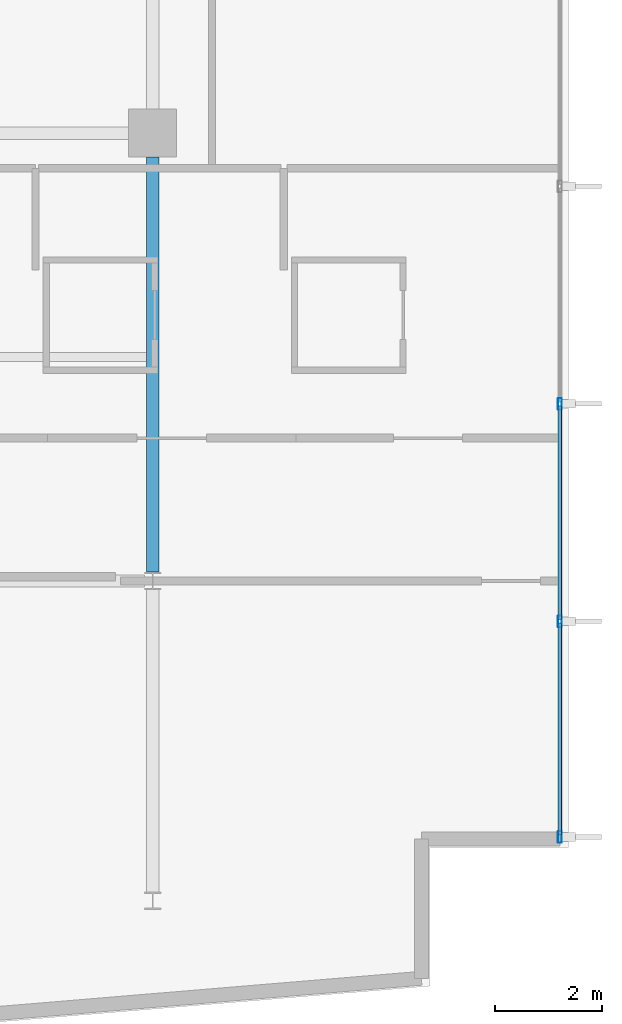
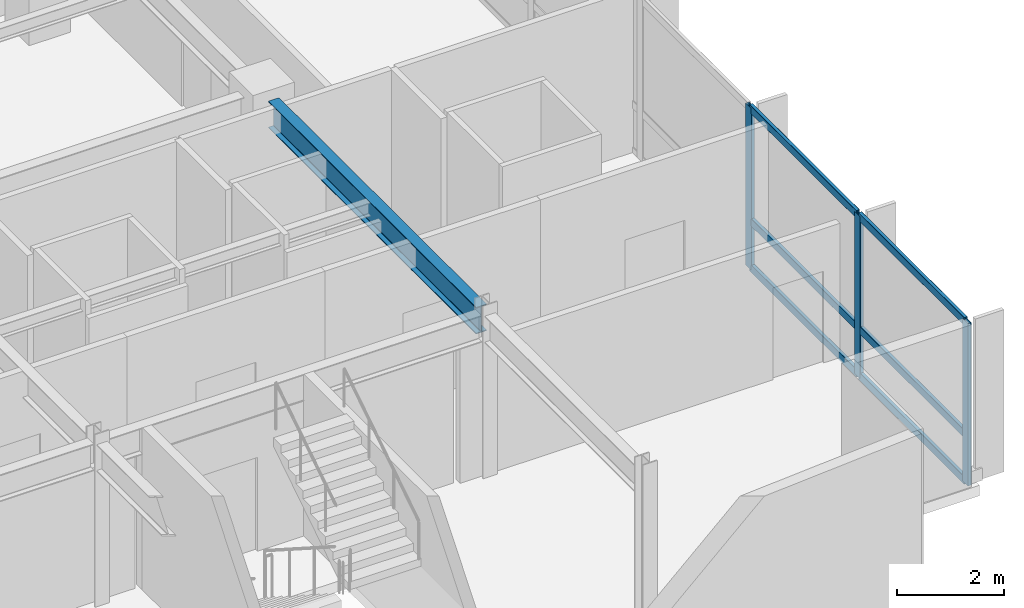
# One storey, part 5 of 19: 9 members, 1 beam, 1 element without a shape of its own.
"""IFC4 building model written with IfcOpenShell, lengths in metres."""

from ifc_helpers import new_model, si_unit, direction, frame, origin, origin_2d, place, context, subcontext, project, spatial, hollow_rectangle, i_section, extrude, material, layer, layer_set, material_profile, profile_set, type_object, element, aggregate, save


model = new_model("IFC4")

# Units and contexts
model_context = context("Model", 3, precision=1e-05, world=origin(), true_north=direction((0.0, 1.0)))
body_context = subcontext(model_context, "Body", "Model", "MODEL_VIEW")
ifc_project = project(units=[si_unit("LENGTHUNIT", "METRE"), si_unit("AREAUNIT", "SQUARE_METRE"), si_unit("VOLUMEUNIT", "CUBIC_METRE"), si_unit("PLANEANGLEUNIT", "RADIAN"), si_unit("MASSUNIT", "GRAM", prefix="KILO")], contexts=[model_context])

# Site, building, storey
site_placement = place(None, origin())
site = spatial("IfcSite", under=ifc_project, at=site_placement, CompositionType="ELEMENT")
building_placement = place(site_placement, origin())
building = spatial("IfcBuilding", under=site, at=building_placement, Name="Varnakote Quay Hospital", CompositionType="ELEMENT")
storey_placement = place(building_placement, frame((0.0, 0.0, 85.699951171875)))
storey = spatial("IfcBuildingStorey", under=building, at=storey_placement, Name="L21", CompositionType="ELEMENT", Elevation=85.699951171875)

# Beam
ifc_material_1 = material(Name="Structural steel AS/NZS 3679.1 Grade 350 L0 (fy 340 MPa)", Category="steel")
ifc_material_profile_1 = material_profile(ifc_material_1, i_section(OverallWidth=0.22900390625, OverallDepth=0.612060546875, WebThickness=0.011962890625, FlangeThickness=0.01953125, FilletRadius=0.013916015625, at=origin_2d()), Name="610UB125")
ifc_profile_set_1 = profile_set([ifc_material_profile_1], Name="Structural steel AS/NZS 3679.1 Grade 350 L0 (fy 340 MPa)")
beam_type = type_object("IfcBeamType", Name="BM-STL-610UB125", PredefinedType="BEAM", material=ifc_profile_set_1)
beam_placement = place(storey_placement, frame((50.39990234375, 12.16357421875, 3.404052734375), z_axis=(0.0, 1.0, 0.0), x_axis=(-1.0, 0.0, 0.0)))
element("IfcBeam", 1, at=beam_placement, inside=storey, type_object=beam_type, Name="L21 Primary Tie Beam", PredefinedType="BEAM", context=body_context, shape_type="SweptSolid", body=[
    extrude(i_section(OverallWidth=0.22900390625, OverallDepth=0.612060546875, WebThickness=0.011962890625, FlangeThickness=0.01953125, FilletRadius=0.013916015625, at=origin_2d()), origin(), (0.0, 0.0, 1.0), 7.786376953125),
])

# Curtain wall, members
ifc_material_2 = material(Name="Anodised aluminium 6063-T6 Bronze", Category="aluminium")
ifc_layer = layer(ifc_material_2, 0.18994140625)
ifc_layer_set = layer_set([ifc_layer], Name="Anodised aluminium 6063-T6 Bronze")
curtain_wall_type = type_object("IfcCurtainWallType", Name="CW-SYS-2", PredefinedType="NOTDEFINED", material=ifc_layer_set)
curtain_wall_placement = place(storey_placement, origin())
curtain_wall = element("IfcCurtainWall", 2, at=curtain_wall_placement, inside=storey, type_object=curtain_wall_type, Name="L21 Unitised Bronze Curtain Wall 1", PredefinedType="NOTDEFINED")
ifc_material_3 = material(Name="Anodised aluminium 6063-T6 Bronze", Category="aluminium")
ifc_material_profile_2 = material_profile(ifc_material_3, hollow_rectangle(XDim=0.074951171875, YDim=0.219970703125, WallThickness=0.00439453125, InnerFilletRadius=0.00439453125, OuterFilletRadius=0.009033203125, at=origin_2d()), Name="CW-MULL-220x75")
ifc_profile_set_2 = profile_set([ifc_material_profile_2], Name="Anodised aluminium 6063-T6 Bronze")
member_type_1 = type_object("IfcMemberType", Name="CW-MULL-220x75", PredefinedType="MULLION", material=ifc_profile_set_2)
member_1_placement = place(storey_placement, frame((58.0400390625, 7.197509765625, 0.0), z_axis=(0.0, 0.0, 1.0), x_axis=(-1.0, 0.0, 0.0)))
member_1 = element("IfcMember", 3, at=member_1_placement, type_object=member_type_1, Name="-2-L21-1 mullion 1", PredefinedType="MULLION", context=body_context, shape_type="SweptSolid", body=[
    extrude(hollow_rectangle(XDim=0.074951171875, YDim=0.219970703125, WallThickness=0.00439453125, InnerFilletRadius=0.00439453125, OuterFilletRadius=0.009033203125, at=origin_2d()), origin(), (0.0, 0.0, 1.0), 3.7099609375),
])
member_2_placement = place(storey_placement, frame((58.0400390625, 11.239990234375, 0.0), z_axis=(0.0, 0.0, 1.0), x_axis=(-1.0, 0.0, 0.0)))
member_2 = element("IfcMember", 4, at=member_2_placement, type_object=member_type_1, Name="-2-L21-1 mullion 2", PredefinedType="MULLION", context=body_context, shape_type="SweptSolid", body=[
    extrude(hollow_rectangle(XDim=0.074951171875, YDim=0.219970703125, WallThickness=0.00439453125, InnerFilletRadius=0.00439453125, OuterFilletRadius=0.009033203125, at=origin_2d()), origin(), (0.0, 0.0, 1.0), 3.7099609375),
])
member_3_placement = place(storey_placement, frame((58.0400390625, 15.320068359375, 0.0), z_axis=(0.0, 0.0, 1.0), x_axis=(-1.0, 0.0, 0.0)))
member_3 = element("IfcMember", 5, at=member_3_placement, type_object=member_type_1, Name="-2-L21-1 mullion 3", PredefinedType="MULLION", context=body_context, shape_type="SweptSolid", body=[
    extrude(hollow_rectangle(XDim=0.074951171875, YDim=0.219970703125, WallThickness=0.00439453125, InnerFilletRadius=0.00439453125, OuterFilletRadius=0.009033203125, at=origin_2d()), origin(), (0.0, 0.0, 1.0), 3.7099609375),
])
ifc_material_4 = material(Name="Anodised aluminium 6063-T6 Bronze", Category="aluminium")
ifc_material_profile_3 = material_profile(ifc_material_4, hollow_rectangle(XDim=0.074951171875, YDim=0.179931640625, WallThickness=0.004150390625, InnerFilletRadius=0.004150390625, OuterFilletRadius=0.00830078125, at=origin_2d()), Name="CW-TRAN-180x75")
ifc_profile_set_3 = profile_set([ifc_material_profile_3], Name="Anodised aluminium 6063-T6 Bronze")
member_type_2 = type_object("IfcMemberType", Name="CW-TRAN-180x75", PredefinedType="USERDEFINED", material=ifc_profile_set_3)
member_4_placement = place(storey_placement, frame((58.0400390625, 7.235107421875, 0.03759765625), z_axis=(0.0, 1.0, 0.0), x_axis=(-1.0, 0.0, 0.0)))
member_4 = element("IfcMember", 6, at=member_4_placement, type_object=member_type_2, Name="-2-L21-1 transom 1.1", ObjectType="TRANSOM", PredefinedType="USERDEFINED", context=body_context, shape_type="SweptSolid", body=[
    extrude(hollow_rectangle(XDim=0.074951171875, YDim=0.179931640625, WallThickness=0.004150390625, InnerFilletRadius=0.004150390625, OuterFilletRadius=0.00830078125, at=origin_2d()), origin(), (0.0, 0.0, 1.0), 3.96728515625),
])
member_5_placement = place(storey_placement, frame((58.0400390625, 7.235107421875, 1.10009765625), z_axis=(0.0, 1.0, 0.0), x_axis=(-1.0, 0.0, 0.0)))
member_5 = element("IfcMember", 7, at=member_5_placement, type_object=member_type_2, Name="-2-L21-1 transom 1.2", ObjectType="TRANSOM", PredefinedType="USERDEFINED", context=body_context, shape_type="SweptSolid", body=[
    extrude(hollow_rectangle(XDim=0.074951171875, YDim=0.179931640625, WallThickness=0.004150390625, InnerFilletRadius=0.004150390625, OuterFilletRadius=0.00830078125, at=origin_2d()), origin(), (0.0, 0.0, 1.0), 3.96728515625),
])
member_6_placement = place(storey_placement, frame((58.0400390625, 7.235107421875, 3.672607421875), z_axis=(0.0, 1.0, 0.0), x_axis=(-1.0, 0.0, 0.0)))
member_6 = element("IfcMember", 8, at=member_6_placement, type_object=member_type_2, Name="-2-L21-1 transom 1.3", ObjectType="TRANSOM", PredefinedType="USERDEFINED", context=body_context, shape_type="SweptSolid", body=[
    extrude(hollow_rectangle(XDim=0.074951171875, YDim=0.179931640625, WallThickness=0.004150390625, InnerFilletRadius=0.004150390625, OuterFilletRadius=0.00830078125, at=origin_2d()), origin(), (0.0, 0.0, 1.0), 3.96728515625),
])
member_7_placement = place(storey_placement, frame((58.0400390625, 11.277587890625, 0.03759765625), z_axis=(0.0, 1.0, 0.0), x_axis=(-1.0, 0.0, 0.0)))
member_7 = element("IfcMember", 9, at=member_7_placement, type_object=member_type_2, Name="-2-L21-1 transom 2.1", ObjectType="TRANSOM", PredefinedType="USERDEFINED", context=body_context, shape_type="SweptSolid", body=[
    extrude(hollow_rectangle(XDim=0.074951171875, YDim=0.179931640625, WallThickness=0.004150390625, InnerFilletRadius=0.004150390625, OuterFilletRadius=0.00830078125, at=origin_2d()), origin(), (0.0, 0.0, 1.0), 4.0048828125),
])
member_8_placement = place(storey_placement, frame((58.0400390625, 11.277587890625, 1.10009765625), z_axis=(0.0, 1.0, 0.0), x_axis=(-1.0, 0.0, 0.0)))
member_8 = element("IfcMember", 10, at=member_8_placement, type_object=member_type_2, Name="-2-L21-1 transom 2.2", ObjectType="TRANSOM", PredefinedType="USERDEFINED", context=body_context, shape_type="SweptSolid", body=[
    extrude(hollow_rectangle(XDim=0.074951171875, YDim=0.179931640625, WallThickness=0.004150390625, InnerFilletRadius=0.004150390625, OuterFilletRadius=0.00830078125, at=origin_2d()), origin(), (0.0, 0.0, 1.0), 4.0048828125),
])
member_9_placement = place(storey_placement, frame((58.0400390625, 11.277587890625, 3.672607421875), z_axis=(0.0, 1.0, 0.0), x_axis=(-1.0, 0.0, 0.0)))
member_9 = element("IfcMember", 11, at=member_9_placement, type_object=member_type_2, Name="-2-L21-1 transom 2.3", ObjectType="TRANSOM", PredefinedType="USERDEFINED", context=body_context, shape_type="SweptSolid", body=[
    extrude(hollow_rectangle(XDim=0.074951171875, YDim=0.179931640625, WallThickness=0.004150390625, InnerFilletRadius=0.004150390625, OuterFilletRadius=0.00830078125, at=origin_2d()), origin(), (0.0, 0.0, 1.0), 4.0048828125),
])
aggregate(curtain_wall, [member_1, member_2, member_3, member_4, member_5, member_6, member_7, member_8, member_9])

save(model, "model.ifc")
